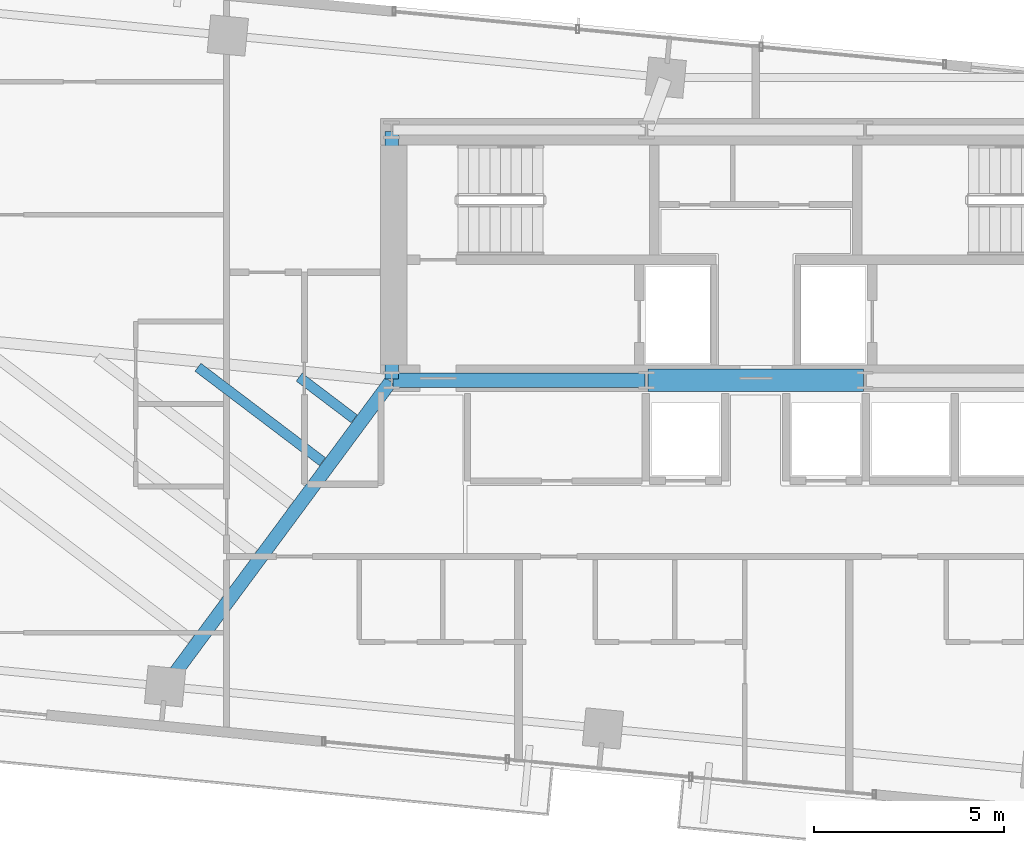
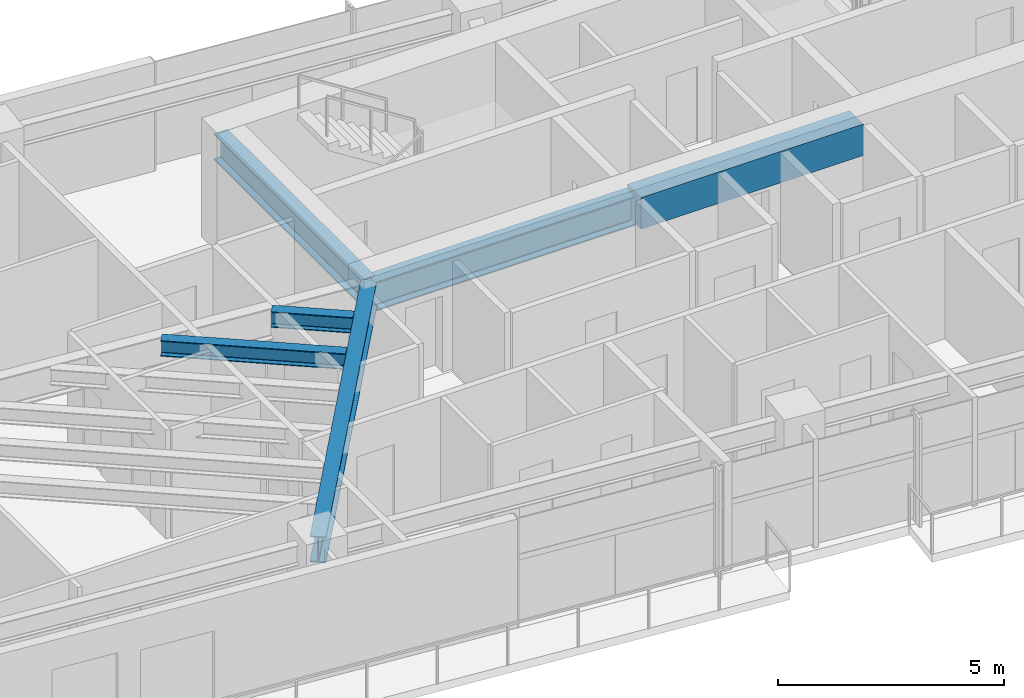
# One storey, part 5 of 19: 6 beams.
"""IFC4 building model written with IfcOpenShell, lengths in metres."""

import ifcopenshell
import ifcopenshell.guid

model = None  # the IFC model being written
_history = None  # IfcOwnerHistory: only IFC2X3 demands one
_inside = {}  # id of a spatial element -> (the spatial element, [elements in it])
_under = {}  # id of a project, library or spatial element -> (it, [spatial elements below it])
_declared = {}  # id of a project -> (the project, [libraries it declares])
_typed = {}  # id of a type object -> (the type object, [elements of that type])
_made_of = {}  # id of a material, layer set ... -> (it, [elements and type objects made of it])


def new_model(schema):
    """Start an empty IFC model of exactly this schema.

    Asked for "IFC4X3", IfcOpenShell would pick the latest addendum, in which some entities
    have other attributes; the version numbers below select the first issue.
    IFC2X3 requires an IfcOwnerHistory on every rooted entity: one is made here for all.
    """
    global model, _history
    if schema == "IFC4X3":
        model = ifcopenshell.file(schema_version=(4, 3, 0, 0))
    else:
        model = ifcopenshell.file(schema=schema)
    _inside.clear()
    _under.clear()
    _declared.clear()
    _typed.clear()
    _made_of.clear()
    _history = None
    if model.schema == "IFC2X3":
        org = make("IfcOrganization", Name="unknown")
        user = make(
            "IfcPersonAndOrganization",
            ThePerson=make("IfcPerson", FamilyName="unknown"),
            TheOrganization=org,
        )
        app = make(
            "IfcApplication",
            ApplicationDeveloper=org,
            Version="unknown",
            ApplicationFullName="unknown",
            ApplicationIdentifier="unknown",
        )
        _history = make(
            "IfcOwnerHistory",
            OwningUser=user,
            OwningApplication=app,
            ChangeAction="ADDED",
            CreationDate=0,
        )
    return model


def make(cls, **values):
    """One entity of the class cls with the attributes given. An attribute that is None is left unset."""
    return model.create_entity(
        cls, **{name: value for name, value in values.items() if value is not None}
    )


def rooted(cls, **values):
    """An entity with a GlobalId (a new one), such as an element, a storey or a relation."""
    return make(cls, GlobalId=ifcopenshell.guid.new(), OwnerHistory=_history, **values)


def si_unit(unit_type, name, prefix=None):
    """IfcSIUnit, for example si_unit("LENGTHUNIT", "METRE", prefix="MILLI")."""
    return make("IfcSIUnit", UnitType=unit_type, Prefix=prefix, Name=name)


def assignment(units):
    """IfcUnitAssignment: the units of a project."""
    return None if units is None else make("IfcUnitAssignment", Units=units)


def point(xyz):
    """IfcCartesianPoint."""
    return None if xyz is None else make("IfcCartesianPoint", Coordinates=xyz)


def direction(xyz):
    """IfcDirection."""
    return None if xyz is None else make("IfcDirection", DirectionRatios=xyz)


def frame(location, z_axis=None, x_axis=None):
    """IfcAxis2Placement3D, a coordinate frame: its origin and axes. An axis left out is left unset."""
    return make(
        "IfcAxis2Placement3D",
        Location=point(location),
        Axis=direction(z_axis),
        RefDirection=direction(x_axis),
    )


def frame_2d(location, x_axis=None):
    """IfcAxis2Placement2D, a coordinate frame in the plane: its origin and x axis."""
    return make(
        "IfcAxis2Placement2D", Location=point(location), RefDirection=direction(x_axis)
    )


def origin():
    """The frame at (0, 0, 0) with its axes left unset."""
    return frame((0.0, 0.0, 0.0))


def origin_2d():
    """The frame at (0, 0) in the plane with its x axis left unset."""
    return frame_2d((0.0, 0.0))


def place(relative_to, where):
    """IfcLocalPlacement: puts the frame where relative to a parent placement (None: the world)."""
    return make(
        "IfcLocalPlacement", PlacementRelTo=relative_to, RelativePlacement=where
    )


def context(
    kind, dimensions, precision=None, world=None, true_north=None, identifier=None
):
    """IfcGeometricRepresentationContext, for example the 3D "Model" context."""
    return make(
        "IfcGeometricRepresentationContext",
        ContextIdentifier=identifier,
        ContextType=kind,
        CoordinateSpaceDimension=dimensions,
        Precision=precision,
        WorldCoordinateSystem=world,
        TrueNorth=true_north,
    )


def subcontext(parent, identifier, kind, view, scale=None):
    """IfcGeometricRepresentationSubContext, for example "Body" below "Model"."""
    return make(
        "IfcGeometricRepresentationSubContext",
        ContextIdentifier=identifier,
        ContextType=kind,
        ParentContext=parent,
        TargetScale=scale,
        TargetView=view,
    )


def project(units=None, contexts=None):
    """IfcProject with its units and contexts."""
    return rooted(
        "IfcProject",
        Name="project",
        RepresentationContexts=contexts,
        UnitsInContext=assignment(units),
    )


def spatial(cls, under=None, at=None, **own):
    """A site, building, storey or space (cls), placed at a placement, below another one or the project."""
    s = rooted(cls, ObjectPlacement=at, **own)
    if under is not None:
        _under.setdefault(under.id(), (under, []))[1].append(s)
    return s


def profile(cls, at=None, kind="AREA", **sizes):
    """A parametric profile (cls). Its sizes go by their IFC names, for example OverallWidth=200.0."""
    return make(cls, ProfileType=kind, Position=at, **sizes)


def rectangle(**sizes):
    """IfcRectangleProfileDef."""
    return profile("IfcRectangleProfileDef", **sizes)


def i_section(**sizes):
    """IfcIShapeProfileDef."""
    return profile("IfcIShapeProfileDef", **sizes)


def extrude(swept, where, along, depth):
    """IfcExtrudedAreaSolid: the profile swept, set in the frame where, extruded along a direction by depth."""
    return make(
        "IfcExtrudedAreaSolid",
        SweptArea=swept,
        Position=where,
        ExtrudedDirection=direction(along),
        Depth=depth,
    )


def shape(context_of_items, identifier, shape_type, items):
    """IfcShapeRepresentation: the items that make up one representation, for example the "Body"."""
    return make(
        "IfcShapeRepresentation",
        ContextOfItems=context_of_items,
        RepresentationIdentifier=identifier,
        RepresentationType=shape_type,
        Items=items,
    )


def source(mapping_origin, context_of_items, identifier, shape_type, items):
    """IfcRepresentationMap: a shape defined once, which mapped items show again and again."""
    return make(
        "IfcRepresentationMap",
        MappingOrigin=mapping_origin,
        MappedRepresentation=shape(context_of_items, identifier, shape_type, items),
    )


def transform(
    local_origin,
    x_axis=None,
    y_axis=None,
    z_axis=None,
    scale=None,
    scale2=None,
    scale3=None,
    uniform=True,
):
    """IfcCartesianTransformationOperator3D, or its non-uniform kind. x_axis, y_axis, z_axis: its Axis1, 2, 3."""
    if uniform:
        return make(
            "IfcCartesianTransformationOperator3D",
            Axis1=direction(x_axis),
            Axis2=direction(y_axis),
            LocalOrigin=point(local_origin),
            Scale=scale,
            Axis3=direction(z_axis),
        )
    return make(
        "IfcCartesianTransformationOperator3DnonUniform",
        Axis1=direction(x_axis),
        Axis2=direction(y_axis),
        LocalOrigin=point(local_origin),
        Scale=scale,
        Axis3=direction(z_axis),
        Scale2=scale2,
        Scale3=scale3,
    )


def mapped(mapping_source, mapping_target):
    """IfcMappedItem: shows the shape of a source again, moved by a transform."""
    return make(
        "IfcMappedItem", MappingSource=mapping_source, MappingTarget=mapping_target
    )


def material(Name=None, Category=None):
    """IfcMaterial."""
    return make("IfcMaterial", Name=Name, Category=Category)


def material_profile(
    of_material, cross_section, Name=None, Category=None, Priority=None
):
    """IfcMaterialProfile: a cross section and its material."""
    return make(
        "IfcMaterialProfile",
        Name=Name,
        Material=of_material,
        Profile=cross_section,
        Priority=Priority,
        Category=Category,
    )


def profile_set(profiles, Name=None, composite=None):
    """IfcMaterialProfileSet."""
    return make(
        "IfcMaterialProfileSet",
        Name=Name,
        MaterialProfiles=profiles,
        CompositeProfile=composite,
    )


def made_of(thing, what):
    """Note that an element or type object is made of a material, layer set ...; save() writes the relation."""
    if what is not None:
        _made_of.setdefault(what.id(), (what, []))[1].append(thing)
    return thing


def type_object(cls, material=None, **own):
    """A type object (cls), such as IfcWallType, which elements share."""
    return made_of(rooted(cls, **own), material)


def type_shapes(of_type, sources):
    """Give a type object the sources (RepresentationMaps) that its elements show as mapped items."""
    of_type.RepresentationMaps = sources


def element(
    cls,
    number,
    at=None,
    inside=None,
    cuts=None,
    type_object=None,
    material=None,
    context=None,
    identifier="Body",
    shape_type=None,
    held_by="IfcProductDefinitionShape",
    body=None,
    shapes=None,
    **own,
):
    """One element of the class cls, such as IfcWall. Its Tag is "e" and its number.

    at: its placement. inside: the storey or other place that contains it. cuts: it is an
    opening in that element (IfcRelVoidsElement). A single representation is given by context,
    identifier, shape_type and body (its items); several are given by shapes. held_by: the class
    of the entity that holds the representations. save() writes the other relations.
    """
    e = rooted(cls, Tag="e%d" % number, ObjectPlacement=at, **own)
    if body is not None:
        shapes = [shape(context, identifier, shape_type, body)]
    if shapes is not None:
        e.Representation = make(held_by, Representations=shapes)
    if inside is not None:
        _inside.setdefault(inside.id(), (inside, []))[1].append(e)
    if cuts is not None:
        rooted(
            "IfcRelVoidsElement", RelatingBuildingElement=cuts, RelatedOpeningElement=e
        )
    if type_object is not None:
        _typed.setdefault(type_object.id(), (type_object, []))[1].append(e)
    return made_of(e, material)


def aggregate(whole, parts):
    """IfcRelAggregates: a whole, such as a stair, and the parts it consists of."""
    return rooted("IfcRelAggregates", RelatingObject=whole, RelatedObjects=parts)


def save(model, path):
    """Write the relations noted so far, then the file.

    IfcRelAggregates (storeys below a building ...), IfcRelContainedInSpatialStructure (elements
    in a storey), IfcRelDefinesByType, IfcRelAssociatesMaterial and IfcRelDeclares: one each for
    every whole, place, type object, material and project.
    """
    for whole, parts in _under.values():
        aggregate(whole, parts)
    for where, things in _inside.values():
        rooted(
            "IfcRelContainedInSpatialStructure",
            RelatedElements=things,
            RelatingStructure=where,
        )
    for kind, things in _typed.values():
        rooted("IfcRelDefinesByType", RelatedObjects=things, RelatingType=kind)
    for what, things in _made_of.values():
        rooted("IfcRelAssociatesMaterial", RelatedObjects=things, RelatingMaterial=what)
    for by, libraries in _declared.values():
        rooted("IfcRelDeclares", RelatingContext=by, RelatedDefinitions=libraries)
    model.write(path)


model = new_model("IFC4")

# Units and contexts
model_context = context("Model", 3, precision=1e-05, world=origin(), true_north=direction((0.0, 1.0)))
body_context = subcontext(model_context, "Body", "Model", "MODEL_VIEW")
ifc_project = project(units=[si_unit("LENGTHUNIT", "METRE"), si_unit("AREAUNIT", "SQUARE_METRE"), si_unit("VOLUMEUNIT", "CUBIC_METRE"), si_unit("PLANEANGLEUNIT", "RADIAN"), si_unit("MASSUNIT", "GRAM", prefix="KILO")], contexts=[model_context])

# Site, building, storey
site_placement = place(None, origin())
site = spatial("IfcSite", under=ifc_project, at=site_placement, CompositionType="ELEMENT")
building_placement = place(site_placement, origin())
building = spatial("IfcBuilding", under=site, at=building_placement, Name="Astriad Promenade Condominiums", CompositionType="ELEMENT")
storey_placement = place(building_placement, frame((0.0, 0.0, 140.60009765625)))
storey = spatial("IfcBuildingStorey", under=building, at=storey_placement, Name="L40", CompositionType="ELEMENT", Elevation=140.60009765625)

# Beams
ifc_material_1 = material(Name="Steel ASTM A992 Grade 50", Category="steel")
ifc_material_profile_1 = material_profile(ifc_material_1, i_section(OverallWidth=0.3837890625, OverallDepth=0.785888671875, WebThickness=0.019775390625, FlangeThickness=0.033447265625, FilletRadius=0.021484375, at=origin_2d()), Name="W30X211")
ifc_profile_set_1 = profile_set([ifc_material_profile_1], Name="Steel ASTM A992 Grade 50")
beam_type_1 = type_object("IfcBeamType", Name="STEEL FLOOR GIRDER W30X211", PredefinedType="BEAM", material=ifc_profile_set_1)
shared_shape_1 = source(origin(), body_context, "Body", "SweptSolid", [
    extrude(i_section(OverallWidth=0.3837890625, OverallDepth=0.785888671875, WebThickness=0.019775390625, FlangeThickness=0.033447265625, FilletRadius=0.021484375, at=origin_2d()), origin(), (0.0, 0.0, 1.0), 6.64013671875),
])
type_shapes(beam_type_1, [shared_shape_1])
beam_1_placement = place(storey_placement, frame((26.43994140625, 17.39990234375, 2.546875), z_axis=(1.0, 0.0, 0.0), x_axis=(0.0, 1.0, 0.0)))
element("IfcBeam", 1, at=beam_1_placement, inside=storey, type_object=beam_type_1, Name="Core Ring Beam CG-S1-L40", PredefinedType="BEAM", context=body_context, shape_type="MappedRepresentation", body=[
    mapped(shared_shape_1, transform((0.0, 0.0, 0.0), scale=1.0)),
])
ifc_material_profile_2 = material_profile(ifc_material_1, i_section(OverallWidth=0.35791015625, OverallDepth=0.706298828125, WebThickness=0.018310546875, FlangeThickness=0.0302734375, FilletRadius=0.020263671875, at=origin_2d()), Name="W27X178")
ifc_profile_set_2 = profile_set([ifc_material_profile_2], Name="Steel ASTM A992 Grade 50")
beam_type_2 = type_object("IfcBeamType", Name="STEEL FLOOR GIRDER W27X178", PredefinedType="BEAM", material=ifc_profile_set_2)
shared_shape_2 = source(origin(), body_context, "Body", "SweptSolid", [
    extrude(i_section(OverallWidth=0.35791015625, OverallDepth=0.706298828125, WebThickness=0.018310546875, FlangeThickness=0.0302734375, FilletRadius=0.020263671875, at=origin_2d()), origin(), (0.0, 0.0, 1.0), 6.52001953125),
])
beam_2_placement = place(storey_placement, frame((26.39990234375, 17.43994140625, 2.586669921875), z_axis=(0.0, 1.0, 0.0), x_axis=(-1.0, 0.0, 0.0)))
element("IfcBeam", 2, at=beam_2_placement, inside=storey, type_object=beam_type_2, Name="Core Ring Beam CG-W1-L40", PredefinedType="BEAM", context=body_context, shape_type="MappedRepresentation", body=[
    mapped(shared_shape_2, transform((0.0, 0.0, 0.0), scale=1.0)),
])
shared_shape_3 = source(origin(), body_context, "Body", "SweptSolid", [
    extrude(i_section(OverallWidth=0.35791015625, OverallDepth=0.706298828125, WebThickness=0.018310546875, FlangeThickness=0.0302734375, FilletRadius=0.020263671875, at=origin_2d()), origin(), (0.0, 0.0, 1.0), 9.958984375),
])
type_shapes(beam_type_2, [shared_shape_2, shared_shape_3])
beam_3_placement = place(storey_placement, frame((20.450927734375, 9.363525390625, 2.586669921875), z_axis=(0.59497542442, 0.803743892255, 0.0), x_axis=(-0.803743892255, 0.59497542442, 0.0)))
element("IfcBeam", 3, at=beam_3_placement, inside=storey, type_object=beam_type_2, Name="Primary Floor Girder PG-W2-L40", PredefinedType="BEAM", context=body_context, shape_type="MappedRepresentation", body=[
    mapped(shared_shape_3, transform((0.0, 0.0, 0.0), scale=1.0)),
])
ifc_material_profile_3 = material_profile(ifc_material_1, i_section(OverallWidth=0.26318359375, OverallDepth=0.425537109375, WebThickness=0.01318359375, FlangeThickness=0.022216796875, FilletRadius=0.013916015625, at=origin_2d()), Name="W16X89")
ifc_profile_set_3 = profile_set([ifc_material_profile_3], Name="Steel ASTM A992 Grade 50")
beam_type_3 = type_object("IfcBeamType", Name="STEEL FLOOR JOIST W16X89", PredefinedType="JOIST", material=ifc_profile_set_3)
shared_shape_4 = source(origin(), body_context, "Body", "SweptSolid", [
    extrude(i_section(OverallWidth=0.26318359375, OverallDepth=0.425537109375, WebThickness=0.01318359375, FlangeThickness=0.022216796875, FilletRadius=0.013916015625, at=origin_2d()), origin(), (0.0, 0.0, 1.0), 4.12109375),
])
beam_4_placement = place(storey_placement, frame((21.292724609375, 17.744140625, 2.72705078125), z_axis=(0.796968568798, -0.604020778077, 0.0), x_axis=(0.604020778077, 0.796968568798, 0.0)))
element("IfcBeam", 4, at=beam_4_placement, inside=storey, type_object=beam_type_3, Name="Secondary Composite Floor Joist JW1-5-L40", PredefinedType="JOIST", context=body_context, shape_type="MappedRepresentation", body=[
    mapped(shared_shape_4, transform((0.0, 0.0, 0.0), scale=1.0)),
])
shared_shape_5 = source(origin(), body_context, "Body", "SweptSolid", [
    extrude(i_section(OverallWidth=0.26318359375, OverallDepth=0.425537109375, WebThickness=0.01318359375, FlangeThickness=0.022216796875, FilletRadius=0.013916015625, at=origin_2d()), origin(), (0.0, 0.0, 1.0), 1.82177734375),
])
type_shapes(beam_type_3, [shared_shape_4, shared_shape_5])
beam_5_placement = place(storey_placement, frame((23.96142578125, 17.48486328125, 2.72705078125), z_axis=(0.796982671853, -0.604002169504, 0.0), x_axis=(0.604002169504, 0.796982671853, 0.0)))
element("IfcBeam", 5, at=beam_5_placement, inside=storey, type_object=beam_type_3, Name="Secondary Composite Floor Joist JW1-6-L40", PredefinedType="JOIST", context=body_context, shape_type="MappedRepresentation", body=[
    mapped(shared_shape_5, transform((0.0, 0.0, 0.0), scale=1.0)),
])
ifc_material_2 = material(Name="Concrete C60/75", Category="concrete")
ifc_material_profile_4 = material_profile(ifc_material_2, rectangle(XDim=0.60009765625, YDim=0.85009765625, at=origin_2d()), Name="RC-BM-600X850")
ifc_profile_set_4 = profile_set([ifc_material_profile_4], Name="Concrete C60/75")
beam_type_4 = type_object("IfcBeamType", Name="CONCRETE CORE COUPLING LINTEL 600X850", PredefinedType="LINTEL", material=ifc_profile_set_4)
shared_shape_6 = source(origin(), body_context, "Body", "SweptSolid", [
    extrude(rectangle(XDim=0.60009765625, YDim=0.85009765625, at=origin_2d()), origin(), (0.0, 0.0, 1.0), 5.68017578125),
])
type_shapes(beam_type_4, [shared_shape_6])
beam_6_placement = place(storey_placement, frame((33.159912109375, 17.39990234375, 2.514892578125), z_axis=(1.0, 0.0, 0.0), x_axis=(0.0, 1.0, 0.0)))
element("IfcBeam", 6, at=beam_6_placement, inside=storey, type_object=beam_type_4, Name="Core Ring Beam CG-S2-L40", PredefinedType="LINTEL", context=body_context, shape_type="MappedRepresentation", body=[
    mapped(shared_shape_6, transform((0.0, 0.0, 0.0), scale=1.0)),
])

save(model, "model.ifc")
